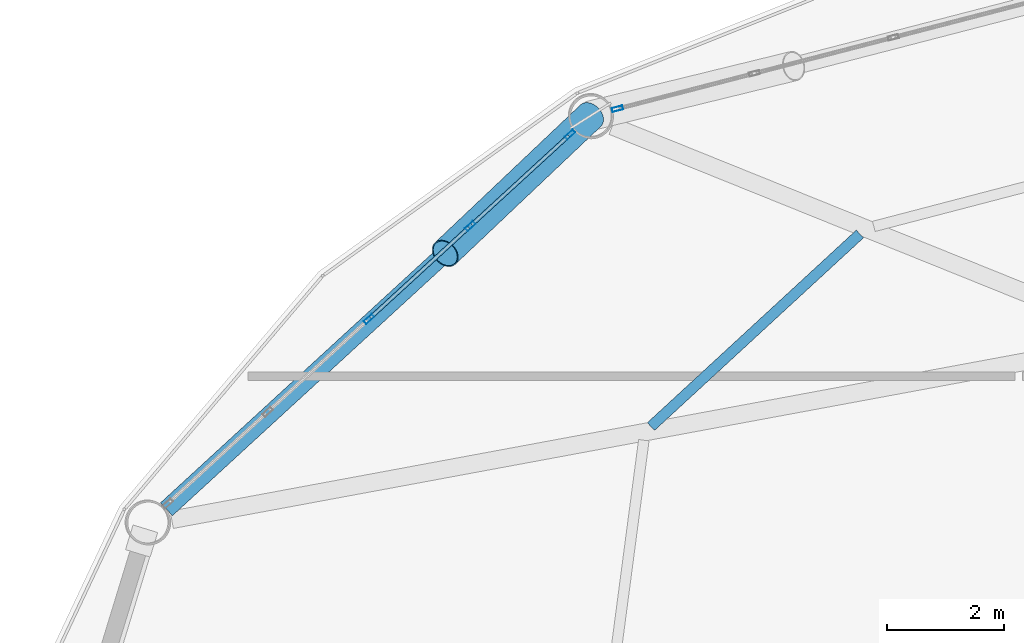
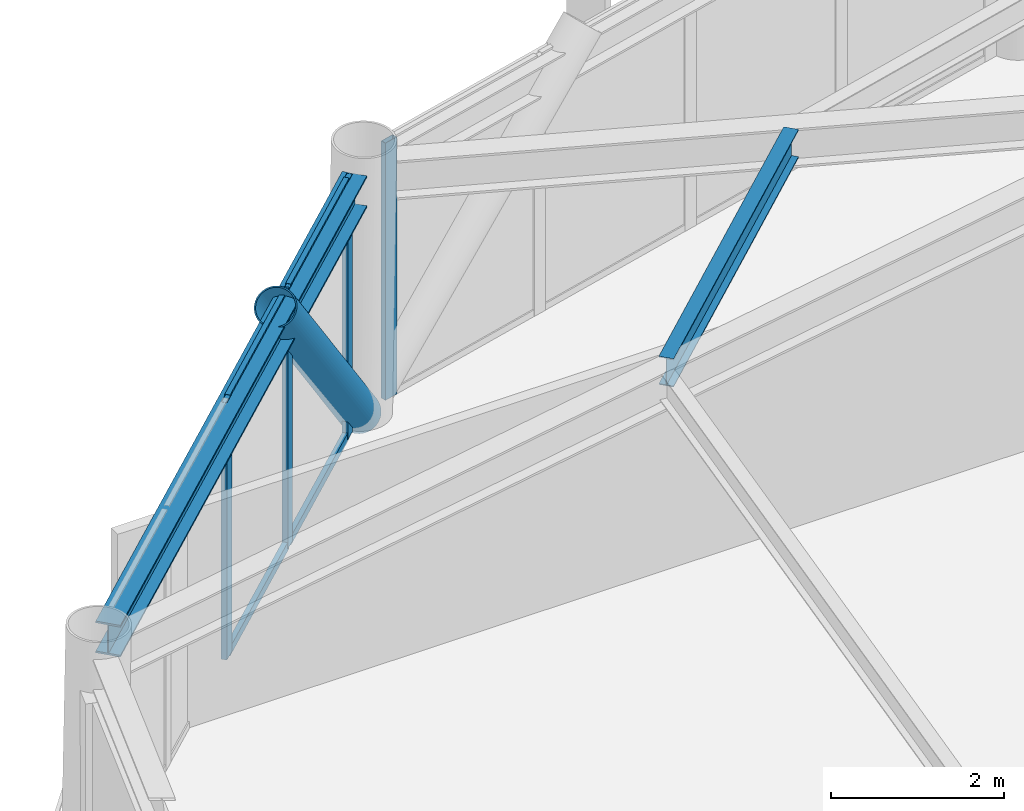
# One storey, part 16 of 25: 9 members, 2 beams, 2 elements without a shape of their own.
"""IFC4 building model written with IfcOpenShell, lengths in metres."""

from ifc_helpers import new_model, si_unit, direction, frame, origin, origin_2d, place, context, subcontext, project, spatial, hollow_rectangle, hollow_circle, i_section, extrude, material, layer, layer_set, material_profile, profile_set, type_object, element, aggregate, save


model = new_model("IFC4")

# Units and contexts
model_context = context("Model", 3, precision=1e-05, world=origin(), true_north=direction((0.0, 1.0)))
body_context = subcontext(model_context, "Body", "Model", "MODEL_VIEW")
ifc_project = project(units=[si_unit("LENGTHUNIT", "METRE"), si_unit("AREAUNIT", "SQUARE_METRE"), si_unit("VOLUMEUNIT", "CUBIC_METRE"), si_unit("PLANEANGLEUNIT", "RADIAN"), si_unit("MASSUNIT", "GRAM", prefix="KILO")], contexts=[model_context])

# Site, building, storey
site_placement = place(None, origin())
site = spatial("IfcSite", under=ifc_project, at=site_placement, CompositionType="ELEMENT")
building_placement = place(site_placement, origin())
building = spatial("IfcBuilding", under=site, at=building_placement, Name="Varnakorn Sky Granary", CompositionType="ELEMENT")
storey_placement = place(building_placement, frame((0.0, 0.0, 146.10009765625)))
storey = spatial("IfcBuildingStorey", under=building, at=storey_placement, Name="L36", CompositionType="ELEMENT", Elevation=146.10009765625)

# Beams
ifc_material_1 = material(Name="Steel S355JR", Category="steel")
ifc_material_profile_1 = material_profile(ifc_material_1, i_section(OverallWidth=0.179931640625, OverallDepth=0.39990234375, WebThickness=0.008544921875, FlangeThickness=0.013427734375, at=origin_2d()), Name="IPE 400")
ifc_profile_set_1 = profile_set([ifc_material_profile_1], Name="Steel S355JR")
beam_type_1 = type_object("IfcBeamType", Name="BM-SEC-Z3", PredefinedType="BEAM", material=ifc_profile_set_1)
beam_1_placement = place(storey_placement, frame((-7.25, 14.43212890625, 3.43994140625), z_axis=(-0.73537317311, -0.677662376313, 0.0), x_axis=(0.677662376313, -0.73537317311, 0.0)))
element("IfcBeam", 1, at=beam_1_placement, inside=storey, type_object=beam_type_1, Name="Secondary Floor Chord Beam MSB05 L36", PredefinedType="BEAM", context=body_context, shape_type="SweptSolid", body=[
    extrude(i_section(OverallWidth=0.179931640625, OverallDepth=0.39990234375, WebThickness=0.008544921875, FlangeThickness=0.013427734375, at=origin_2d()), origin(), (0.0, 0.0, 1.0), 4.86083984375),
])
ifc_material_profile_2 = material_profile(ifc_material_1, i_section(OverallWidth=0.300048828125, OverallDepth=0.449951171875, WebThickness=0.013916015625, FlangeThickness=0.02587890625, at=origin_2d()), Name="HE 450 B")
ifc_profile_set_2 = profile_set([ifc_material_profile_2], Name="Steel S355JR")
beam_type_2 = type_object("IfcBeamType", Name="BM-SPD-Z3", PredefinedType="SPANDREL", material=ifc_profile_set_2)
beam_2_placement = place(storey_placement, frame((-12.093505859375, 16.166259765625, 3.414794921875), z_axis=(-0.736711465157, -0.67620722941, 0.0), x_axis=(0.67620722941, -0.736711465157, 0.0)))
element("IfcBeam", 2, at=beam_2_placement, inside=storey, type_object=beam_type_2, Name="Perimeter Spandrel Ring Beam RB05 L36", PredefinedType="SPANDREL", context=body_context, shape_type="SweptSolid", body=[
    extrude(i_section(OverallWidth=0.300048828125, OverallDepth=0.449951171875, WebThickness=0.013916015625, FlangeThickness=0.02587890625, at=origin_2d()), origin(), (0.0, 0.0, 1.0), 9.52685546875),
])

# Curtain wall, member
ifc_material_2 = material(Name="Anodised Bronze Aluminium Alloy 6063-T6", Category="aluminium")
ifc_layer = layer(ifc_material_2, 0.179931640625, Name="Anodised Bronze Aluminium Alloy 6063-T6")
ifc_layer_set = layer_set([ifc_layer], Name="Anodised Bronze Aluminium Alloy 6063-T6")
curtain_wall_type = type_object("IfcCurtainWallType", Name="CW-FRM-2", PredefinedType="USERDEFINED", material=ifc_layer_set)
curtain_wall_1_placement = place(storey_placement, origin())
curtain_wall_1 = element("IfcCurtainWall", 3, at=curtain_wall_1_placement, inside=storey, type_object=curtain_wall_type, Name="Unitised Curtain Wall CW4 CW-L36-B04", ObjectType="CURTAIN WALL", PredefinedType="USERDEFINED")
ifc_material_profile_3 = material_profile(ifc_material_2, hollow_rectangle(XDim=0.070068359375, YDim=0.18505859375, WallThickness=0.00390625, at=origin_2d()), Name="ALU MULL 70x185")
ifc_profile_set_3 = profile_set([ifc_material_profile_3], Name="Anodised Bronze Aluminium Alloy 6063-T6")
member_type_1 = type_object("IfcMemberType", Name="CW-FRM-2-MULL", PredefinedType="MULLION", material=ifc_profile_set_3)
member_1_placement = place(storey_placement, frame((-11.396728515625, 16.574462890625, 0.0), z_axis=(0.0, 0.0, 1.0), x_axis=(-0.250559125851, 0.968101298653, 0.0)))
member_1 = element("IfcMember", 4, at=member_1_placement, type_object=member_type_1, Name="CW4 mullion 1", PredefinedType="MULLION", context=body_context, shape_type="SweptSolid", body=[
    extrude(hollow_rectangle(XDim=0.070068359375, YDim=0.18505859375, WallThickness=0.00390625, at=origin_2d()), origin(), (0.0, 0.0, 1.0), 3.639892578125),
])
aggregate(curtain_wall_1, [member_1])

# Curtain wall, members
curtain_wall_2_placement = place(storey_placement, origin())
curtain_wall_2 = element("IfcCurtainWall", 5, at=curtain_wall_2_placement, inside=storey, type_object=curtain_wall_type, Name="Unitised Curtain Wall CW4 CW-L36-B05", ObjectType="CURTAIN WALL", PredefinedType="USERDEFINED")
member_2_placement = place(storey_placement, frame((-15.648681640625, 12.977783203125, 0.0), z_axis=(0.0, 0.0, 1.0), x_axis=(-0.675960473988, 0.736937879069, 0.0)))
member_2 = element("IfcMember", 6, at=member_2_placement, type_object=member_type_1, Name="CW4 mullion 3", PredefinedType="MULLION", context=body_context, shape_type="SweptSolid", body=[
    extrude(hollow_rectangle(XDim=0.070068359375, YDim=0.18505859375, WallThickness=0.00390625, at=origin_2d()), origin(), (0.0, 0.0, 1.0), 3.639892578125),
])
member_3_placement = place(storey_placement, frame((-13.91552734375, 14.567626953125, 0.0), z_axis=(0.0, 0.0, 1.0), x_axis=(-0.675960473988, 0.736937879069, 0.0)))
member_3 = element("IfcMember", 7, at=member_3_placement, type_object=member_type_1, Name="CW4 mullion 4", PredefinedType="MULLION", context=body_context, shape_type="SweptSolid", body=[
    extrude(hollow_rectangle(XDim=0.070068359375, YDim=0.18505859375, WallThickness=0.00390625, at=origin_2d()), origin(), (0.0, 0.0, 1.0), 3.639892578125),
])
member_4_placement = place(storey_placement, frame((-12.208251953125, 16.133544921875, 0.0), z_axis=(0.0, 0.0, 1.0), x_axis=(-0.675960473988, 0.736937879069, 0.0)))
member_4 = element("IfcMember", 8, at=member_4_placement, type_object=member_type_1, Name="CW4 mullion 5", PredefinedType="MULLION", context=body_context, shape_type="SweptSolid", body=[
    extrude(hollow_rectangle(XDim=0.070068359375, YDim=0.18505859375, WallThickness=0.00390625, at=origin_2d()), origin(), (0.0, 0.0, 1.0), 3.639892578125),
])
ifc_material_profile_4 = material_profile(ifc_material_2, hollow_rectangle(XDim=0.06494140625, YDim=0.1201171875, WallThickness=0.00341796875, at=origin_2d()), Name="ALU TRAN 65x120")
ifc_profile_set_4 = profile_set([ifc_material_profile_4], Name="Anodised Bronze Aluminium Alloy 6063-T6")
member_type_2 = type_object("IfcMemberType", Name="CW-FRM-2-TRAN", PredefinedType="USERDEFINED", material=ifc_profile_set_4)
member_5_placement = place(storey_placement, frame((-15.622802734375, 13.00146484375, 0.032470703125), z_axis=(0.736892041746, 0.676010442827, 0.0), x_axis=(-0.676010442827, 0.736892041746, 0.0)))
member_5 = element("IfcMember", 9, at=member_5_placement, type_object=member_type_2, Name="CW4 transom 3.1", ObjectType="TRANSOM", PredefinedType="USERDEFINED", context=body_context, shape_type="SweptSolid", body=[
    extrude(hollow_rectangle(XDim=0.06494140625, YDim=0.1201171875, WallThickness=0.00341796875, at=origin_2d()), origin(), (0.0, 0.0, 1.0), 2.28173828125),
])
member_6_placement = place(storey_placement, frame((-15.622802734375, 13.00146484375, 3.607421875), z_axis=(0.736892041746, 0.676010442827, 0.0), x_axis=(-0.676010442827, 0.736892041746, 0.0)))
member_6 = element("IfcMember", 10, at=member_6_placement, type_object=member_type_2, Name="CW4 transom 3.2", ObjectType="TRANSOM", PredefinedType="USERDEFINED", context=body_context, shape_type="SweptSolid", body=[
    extrude(hollow_rectangle(XDim=0.06494140625, YDim=0.1201171875, WallThickness=0.00341796875, at=origin_2d()), origin(), (0.0, 0.0, 1.0), 2.28173828125),
])
member_7_placement = place(storey_placement, frame((-13.8896484375, 14.59130859375, 0.032470703125), z_axis=(0.736933057547, 0.675965730415, 0.0), x_axis=(-0.675965730415, 0.736933057547, 0.0)))
member_7 = element("IfcMember", 11, at=member_7_placement, type_object=member_type_2, Name="CW4 transom 4.1", ObjectType="TRANSOM", PredefinedType="USERDEFINED", context=body_context, shape_type="SweptSolid", body=[
    extrude(hollow_rectangle(XDim=0.06494140625, YDim=0.1201171875, WallThickness=0.00341796875, at=origin_2d()), origin(), (0.0, 0.0, 1.0), 2.24658203125),
])
member_8_placement = place(storey_placement, frame((-13.8896484375, 14.59130859375, 3.607421875), z_axis=(0.736933057547, 0.675965730415, 0.0), x_axis=(-0.675965730415, 0.736933057547, 0.0)))
member_8 = element("IfcMember", 12, at=member_8_placement, type_object=member_type_2, Name="CW4 transom 4.2", ObjectType="TRANSOM", PredefinedType="USERDEFINED", context=body_context, shape_type="SweptSolid", body=[
    extrude(hollow_rectangle(XDim=0.06494140625, YDim=0.1201171875, WallThickness=0.00341796875, at=origin_2d()), origin(), (0.0, 0.0, 1.0), 2.24658203125),
])
aggregate(curtain_wall_2, [member_2, member_3, member_4, member_5, member_6, member_7, member_8])

# Member
ifc_material_3 = material(Name="Steel S460M", Category="steel")
ifc_material_profile_5 = material_profile(ifc_material_3, hollow_circle(Radius=0.25390625, WallThickness=0.01806640625, at=origin_2d()), Name="CHS 508x18")
ifc_profile_set_5 = profile_set([ifc_material_profile_5], Name="Steel S460M")
member_type_3 = type_object("IfcMemberType", Name="MB-DIAG-T2", PredefinedType="BRACE", material=ifc_profile_set_5)
member_9_placement = place(storey_placement, frame((-11.857421875, 16.455322265625, 0.0), z_axis=(-0.48673440517, -0.460920559286, 0.742052462331), x_axis=(0.687590348597, -0.726098831094, 0.0)))
element("IfcMember", 13, at=member_9_placement, inside=storey, type_object=member_type_3, Name="Perimeter CHS Diagrid Brace DG05 L36", PredefinedType="BRACE", context=body_context, shape_type="SweptSolid", body=[
    extrude(hollow_circle(Radius=0.25390625, WallThickness=0.01806640625, at=origin_2d()), origin(), (0.0, 0.0, 1.0), 5.107177734375),
])

save(model, "model.ifc")
